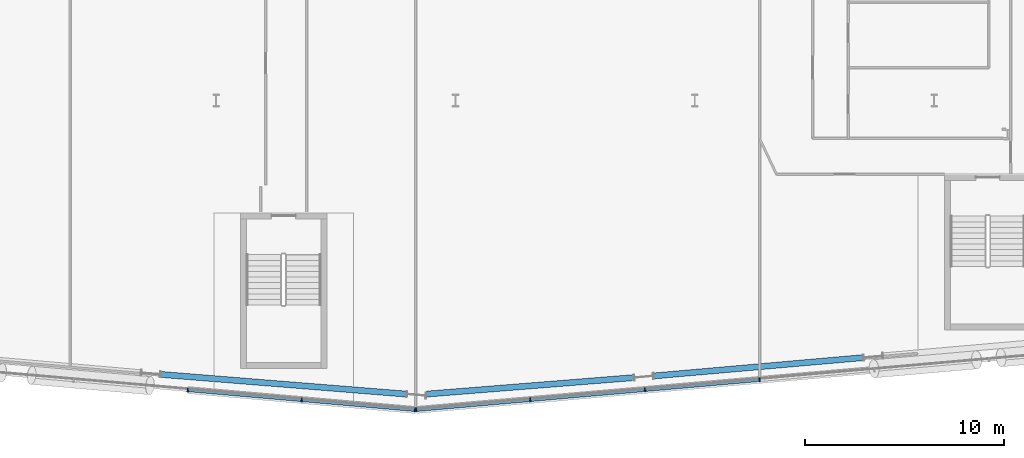
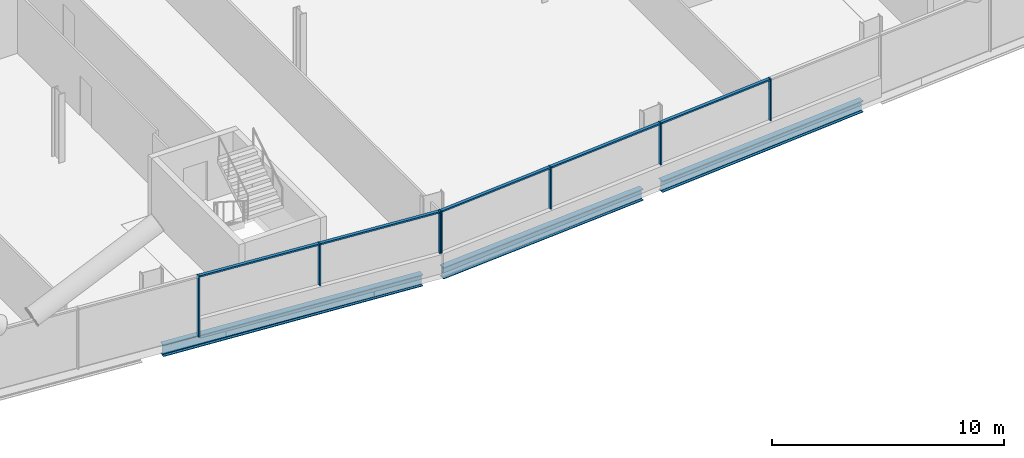
# One storey, part 6 of 25: 12 members, 3 beams, 2 elements without a shape of their own.
"""IFC4 building model written with IfcOpenShell, lengths in metres."""

from ifc_helpers import new_model, si_unit, direction, frame, origin, origin_2d, place, context, subcontext, project, spatial, rectangle, i_section, extrude, material, material_profile, profile_set, type_object, element, aggregate, save


model = new_model("IFC4")

# Units and contexts
model_context = context("Model", 3, precision=1e-05, world=origin(), true_north=direction((0.0, 1.0)))
body_context = subcontext(model_context, "Body", "Model", "MODEL_VIEW")
ifc_project = project(units=[si_unit("LENGTHUNIT", "METRE"), si_unit("AREAUNIT", "SQUARE_METRE"), si_unit("VOLUMEUNIT", "CUBIC_METRE"), si_unit("PLANEANGLEUNIT", "RADIAN"), si_unit("MASSUNIT", "GRAM", prefix="KILO")], contexts=[model_context])

# Site, building, storey
site_placement = place(None, origin())
site = spatial("IfcSite", under=ifc_project, at=site_placement, CompositionType="ELEMENT")
building_placement = place(site_placement, origin())
building = spatial("IfcBuilding", under=site, at=building_placement, Name="Wharfspan Tower", CompositionType="ELEMENT")
storey_placement = place(building_placement, frame((0.0, 0.0, 63.100098)))
storey = spatial("IfcBuildingStorey", under=building, at=storey_placement, Name="L12", CompositionType="ELEMENT", Elevation=63.100098)

# Beams
ifc_material_1 = material(Name="Steel S355J2", Category="steel")
ifc_material_profile_1 = material_profile(ifc_material_1, i_section(OverallWidth=0.300049, OverallDepth=0.600098, WebThickness=0.015381, FlangeThickness=0.030029, FilletRadius=0.0271, at=origin_2d()))
ifc_profile_set_1 = profile_set([ifc_material_profile_1], Name="Steel S355J2")
beam_type = type_object("IfcBeamType", Name="Edge beam HEB 600", PredefinedType="SPANDREL", material=ifc_profile_set_1)
beam_1_placement = place(storey_placement, frame((33.222656, -2.240479, -0.700195), z_axis=(0.996802, -0.079913, 0.0), x_axis=(0.079913, 0.996802, 0.0)))
element("IfcBeam", 1, at=beam_1_placement, inside=storey, type_object=beam_type, Name="Edge beam S1 L12 PS1.3 to PS1.4", PredefinedType="SPANDREL", context=body_context, shape_type="SweptSolid", body=[
    extrude(i_section(OverallWidth=0.300049, OverallDepth=0.600098, WebThickness=0.015381, FlangeThickness=0.030029, FilletRadius=0.0271, at=origin_2d()), origin(), (0.0, 0.0, 1.0), 12.36084),
])
beam_2_placement = place(storey_placement, frame((46.547852, -3.228027, -0.700195), z_axis=(0.996848, 0.079335, 0.0), x_axis=(-0.079335, 0.996848, 0.0)))
element("IfcBeam", 2, at=beam_2_placement, inside=storey, type_object=beam_type, Name="Edge beam S2 L12 PS1.4 to PS2.1", PredefinedType="SPANDREL", context=body_context, shape_type="SweptSolid", body=[
    extrude(i_section(OverallWidth=0.300049, OverallDepth=0.600098, WebThickness=0.015381, FlangeThickness=0.030029, FilletRadius=0.0271, at=origin_2d()), origin(), (0.0, 0.0, 1.0), 10.429199),
])
beam_3_placement = place(storey_placement, frame((57.940674, -2.317383, -0.700195), z_axis=(0.996195, 0.087155, 0.0), x_axis=(-0.087155, 0.996195, 0.0)))
element("IfcBeam", 3, at=beam_3_placement, inside=storey, type_object=beam_type, Name="Edge beam S2 L12 PS2.1 to PS2.2", PredefinedType="SPANDREL", context=body_context, shape_type="SweptSolid", body=[
    extrude(i_section(OverallWidth=0.300049, OverallDepth=0.600098, WebThickness=0.015381, FlangeThickness=0.030029, FilletRadius=0.0271, at=origin_2d()), origin(), (0.0, 0.0, 1.0), 10.543701),
])

# Curtain wall, members
ifc_material_2 = material(Name="Aluminium 6063-T6", Category="aluminium")
curtain_wall_type = type_object("IfcCurtainWallType", Name="CURTAIN WALL FACETED FRONT", PredefinedType="NOTDEFINED", material=ifc_material_2)
curtain_wall_1_placement = place(storey_placement, origin())
curtain_wall_1 = element("IfcCurtainWall", 4, at=curtain_wall_1_placement, inside=storey, type_object=curtain_wall_type, Name="Curtain wall S1", PredefinedType="NOTDEFINED")
ifc_material_profile_2 = material_profile(ifc_material_2, rectangle(XDim=0.199951, YDim=0.060059, at=origin_2d()))
ifc_profile_set_2 = profile_set([ifc_material_profile_2], Name="Aluminium 6063-T6")
member_type_1 = type_object("IfcMemberType", Name="MULLION FACETED FRONT 60x200", PredefinedType="MULLION", material=ifc_profile_set_2)
member_1_placement = place(storey_placement, frame((34.571533, -3.024658, 0.0), z_axis=(0.0, 0.0, 1.0), x_axis=(0.087156, 0.996197, 0.0)))
member_1 = element("IfcMember", 5, at=member_1_placement, type_object=member_type_1, Name="Curtain wall S1 mullion 6", PredefinedType="MULLION", context=body_context, shape_type="SweptSolid", body=[
    extrude(rectangle(XDim=0.199951, YDim=0.060059, at=origin_2d()), origin(), (0.0, 0.0, 1.0), 3.199951),
])
member_2_placement = place(storey_placement, frame((40.285645, -3.524658, 1.0), z_axis=(0.0, 0.0, 1.0), x_axis=(0.087156, 0.996197, 0.0)))
member_2 = element("IfcMember", 6, at=member_2_placement, type_object=member_type_1, Name="Curtain wall S1 mullion 7", PredefinedType="MULLION", context=body_context, shape_type="SweptSolid", body=[
    extrude(rectangle(XDim=0.199951, YDim=0.060059, at=origin_2d()), origin(), (0.0, 0.0, 1.0), 2.199951),
])
member_3_placement = place(storey_placement, frame((45.970215, -4.021973, 1.0), z_axis=(0.0, 0.0, 1.0), x_axis=(0.087156, 0.996197, 0.0)))
member_3 = element("IfcMember", 7, at=member_3_placement, type_object=member_type_1, Name="Curtain wall S1 mullion 8", PredefinedType="MULLION", context=body_context, shape_type="SweptSolid", body=[
    extrude(rectangle(XDim=0.199951, YDim=0.060059, at=origin_2d()), origin(), (0.0, 0.0, 1.0), 2.199951),
])

curtain_wall_2_placement = place(storey_placement, origin())
curtain_wall_2 = element("IfcCurtainWall", 8, at=curtain_wall_2_placement, inside=storey, type_object=curtain_wall_type, Name="Curtain wall S2", PredefinedType="NOTDEFINED")
member_4_placement = place(storey_placement, frame((46.029785, -4.021973, 1.0), z_axis=(0.0, 0.0, 1.0), x_axis=(-0.087156, 0.996197, 0.0)))
member_4 = element("IfcMember", 9, at=member_4_placement, type_object=member_type_1, Name="Curtain wall S2 mullion 1", PredefinedType="MULLION", context=body_context, shape_type="SweptSolid", body=[
    extrude(rectangle(XDim=0.199951, YDim=0.060059, at=origin_2d()), origin(), (0.0, 0.0, 1.0), 2.199951),
])
member_5_placement = place(storey_placement, frame((51.75, -3.521484, 1.0), z_axis=(0.0, 0.0, 1.0), x_axis=(-0.087156, 0.996197, 0.0)))
member_5 = element("IfcMember", 10, at=member_5_placement, type_object=member_type_1, Name="Curtain wall S2 mullion 2", PredefinedType="MULLION", context=body_context, shape_type="SweptSolid", body=[
    extrude(rectangle(XDim=0.199951, YDim=0.060059, at=origin_2d()), origin(), (0.0, 0.0, 1.0), 2.199951),
])
member_6_placement = place(storey_placement, frame((57.5, -3.018311, 1.0), z_axis=(0.0, 0.0, 1.0), x_axis=(-0.087156, 0.996197, 0.0)))
member_6 = element("IfcMember", 11, at=member_6_placement, type_object=member_type_1, Name="Curtain wall S2 mullion 3", PredefinedType="MULLION", context=body_context, shape_type="SweptSolid", body=[
    extrude(rectangle(XDim=0.199951, YDim=0.060059, at=origin_2d()), origin(), (0.0, 0.0, 1.0), 2.199951),
])
member_7_placement = place(storey_placement, frame((63.25, -2.515381, 1.0), z_axis=(0.0, 0.0, 1.0), x_axis=(-0.087156, 0.996197, 0.0)))
member_7 = element("IfcMember", 12, at=member_7_placement, type_object=member_type_1, Name="Curtain wall S2 mullion 4", PredefinedType="MULLION", context=body_context, shape_type="SweptSolid", body=[
    extrude(rectangle(XDim=0.199951, YDim=0.060059, at=origin_2d()), origin(), (0.0, 0.0, 1.0), 2.199951),
])

# Member
ifc_material_profile_3 = material_profile(ifc_material_2, rectangle(XDim=0.159912, YDim=0.080078, at=origin_2d()))
ifc_profile_set_3 = profile_set([ifc_material_profile_3], Name="Aluminium 6063-T6")
member_type_2 = type_object("IfcMemberType", Name="TRANSOM FACETED FRONT 80x160", PredefinedType="USERDEFINED", material=ifc_profile_set_3)
member_8_placement = place(storey_placement, frame((34.601318, -3.027344, 3.159912), z_axis=(0.996196, -0.087142, 0.0), x_axis=(0.087142, 0.996196, 0.0)))
member_8 = element("IfcMember", 13, at=member_8_placement, type_object=member_type_2, Name="Curtain wall S1 transom 6", ObjectType="TRANSOM", PredefinedType="USERDEFINED", context=body_context, shape_type="SweptSolid", body=[
    extrude(rectangle(XDim=0.159912, YDim=0.080078, at=origin_2d()), origin(), (0.0, 0.0, 1.0), 5.676025),
])

member_9_placement = place(storey_placement, frame((40.315674, -3.5271, 3.159912), z_axis=(0.996193, -0.087174, 0.0), x_axis=(0.087174, 0.996193, 0.0)))
member_9 = element("IfcMember", 14, at=member_9_placement, type_object=member_type_2, Name="Curtain wall S1 transom 7", ObjectType="TRANSOM", PredefinedType="USERDEFINED", context=body_context, shape_type="SweptSolid", body=[
    extrude(rectangle(XDim=0.159912, YDim=0.080078, at=origin_2d()), origin(), (0.0, 0.0, 1.0), 5.645996),
])

aggregate(curtain_wall_1, [member_1, member_2, member_3, member_8, member_9])

member_10_placement = place(storey_placement, frame((46.059814, -4.019287, 3.159912), z_axis=(0.996193, 0.08718, 0.0), x_axis=(-0.08718, 0.996193, 0.0)))
member_10 = element("IfcMember", 15, at=member_10_placement, type_object=member_type_2, Name="Curtain wall S2 transom 1", ObjectType="TRANSOM", PredefinedType="USERDEFINED", context=body_context, shape_type="SweptSolid", body=[
    extrude(rectangle(XDim=0.159912, YDim=0.080078, at=origin_2d()), origin(), (0.0, 0.0, 1.0), 5.682129),
])

member_11_placement = place(storey_placement, frame((51.779785, -3.518799, 3.159912), z_axis=(0.996195, 0.087148, 0.0), x_axis=(-0.087148, 0.996195, 0.0)))
member_11 = element("IfcMember", 16, at=member_11_placement, type_object=member_type_2, Name="Curtain wall S2 transom 2", ObjectType="TRANSOM", PredefinedType="USERDEFINED", context=body_context, shape_type="SweptSolid", body=[
    extrude(rectangle(XDim=0.159912, YDim=0.080078, at=origin_2d()), origin(), (0.0, 0.0, 1.0), 5.712158),
])

member_12_placement = place(storey_placement, frame((57.529785, -3.015625, 3.159912), z_axis=(0.996195, 0.087148, 0.0), x_axis=(-0.087148, 0.996195, 0.0)))
member_12 = element("IfcMember", 17, at=member_12_placement, type_object=member_type_2, Name="Curtain wall S2 transom 3", ObjectType="TRANSOM", PredefinedType="USERDEFINED", context=body_context, shape_type="SweptSolid", body=[
    extrude(rectangle(XDim=0.159912, YDim=0.080078, at=origin_2d()), origin(), (0.0, 0.0, 1.0), 5.712158),
])

aggregate(curtain_wall_2, [member_4, member_5, member_6, member_7, member_10, member_11, member_12])

save(model, "model.ifc")
